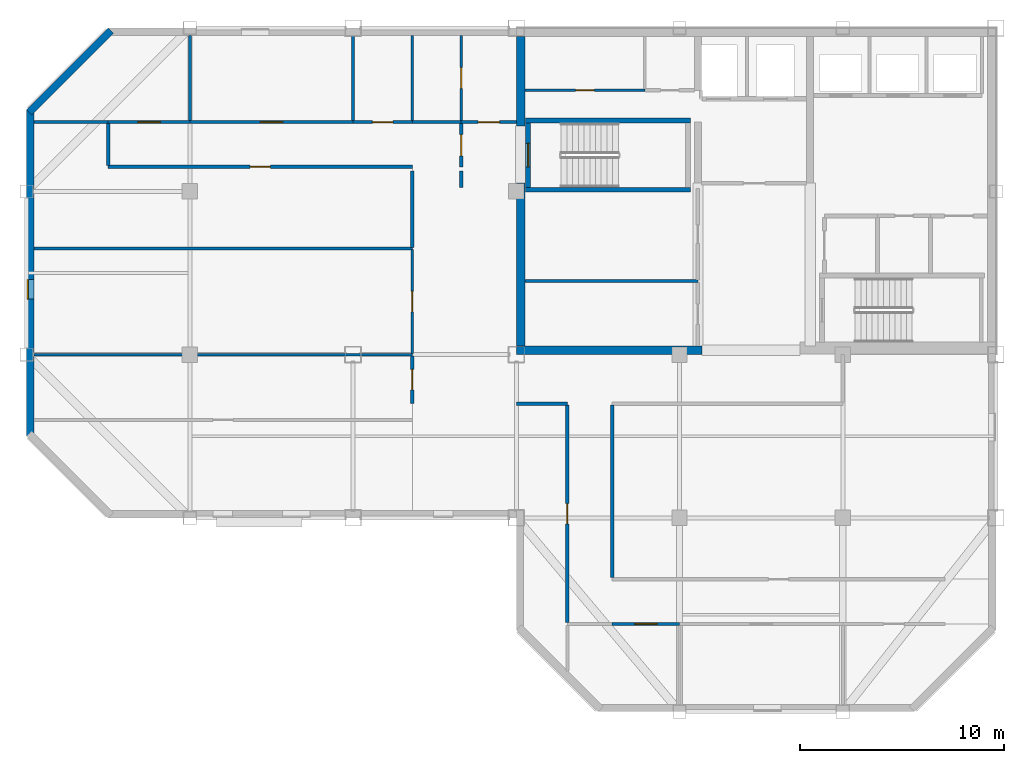
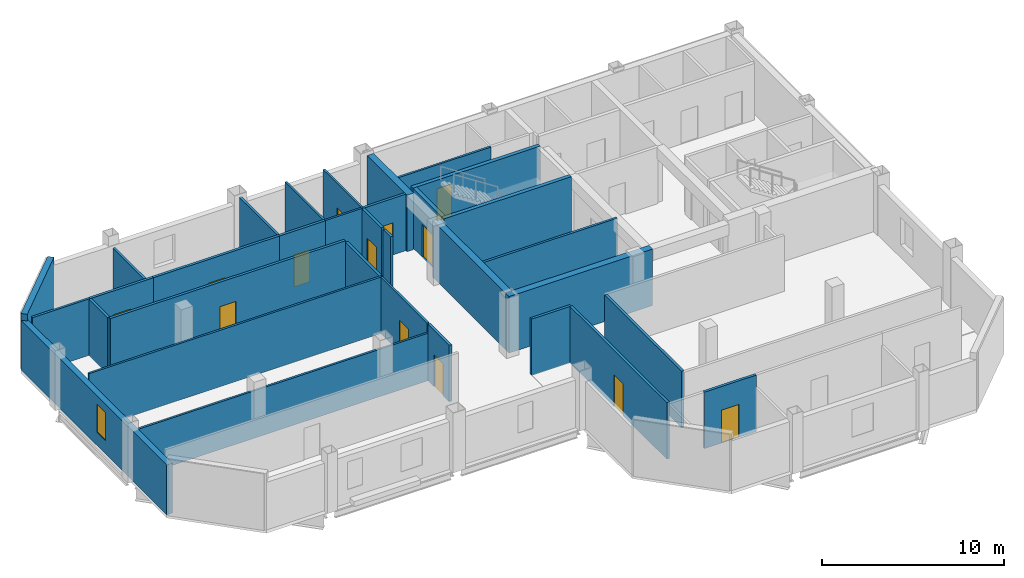
# One storey, part 2 of 7: 33 walls, 13 doors, 1 window, 14 openings.
"""IFC4 building model written with IfcOpenShell, lengths in metres."""

from ifc_helpers import new_model, si_unit, direction, frame, frame_2d, origin, place, context, subcontext, project, spatial, rectangle, extrude, material, layer, layer_set, type_object, element, fill, save


model = new_model("IFC4")

# Units and contexts
model_context = context("Model", 3, precision=1e-05, world=origin(), true_north=direction((0.0, 1.0)))
body_context = subcontext(model_context, "Body", "Model", "MODEL_VIEW")
ifc_project = project(units=[si_unit("LENGTHUNIT", "METRE"), si_unit("AREAUNIT", "SQUARE_METRE"), si_unit("VOLUMEUNIT", "CUBIC_METRE"), si_unit("PLANEANGLEUNIT", "RADIAN"), si_unit("MASSUNIT", "GRAM", prefix="KILO")], contexts=[model_context])

# Site, building, storey
site_placement = place(None, origin())
site = spatial("IfcSite", under=ifc_project, at=site_placement, CompositionType="ELEMENT")
building_placement = place(site_placement, origin())
building = spatial("IfcBuilding", under=site, at=building_placement, Name="Qianrong Seaharbour Tower", CompositionType="ELEMENT")
storey_placement = place(building_placement, frame((0.0, 0.0, 307.199951171875)))
storey = spatial("IfcBuildingStorey", under=building, at=storey_placement, Name="L74", CompositionType="ELEMENT", Elevation=307.199951171875)

# Walls
ifc_material_1 = material(Name="Concrete C50/60", Category="concrete")
ifc_layer_1 = layer(ifc_material_1, 0.419921875)
ifc_layer_set_1 = layer_set([ifc_layer_1], Name="Concrete C50/60")
wall_type_1 = type_object("IfcWallType", Name="WALL-CORE-420", PredefinedType="SHEAR", material=ifc_layer_set_1)
wall_1_placement = place(storey_placement, frame((40.7099609375, 36.419921875, 0.0), z_axis=(0.0, 0.0, 1.0), x_axis=(0.0, 1.0, 0.0)))
element("IfcWall", 1, at=wall_1_placement, inside=storey, type_object=wall_type_1, Name="L74 West Core Shear Wall South", PredefinedType="SHEAR", context=body_context, shape_type="SweptSolid", body=[
    extrude(rectangle(XDim=7.97998046875, YDim=0.419921875, at=frame_2d((3.989990234375, 0.0))), origin(), (0.0, 0.0, 1.0), 3.78515625),
])
wall_2_placement = place(storey_placement, frame((40.7099609375, 47.199951171875, 0.0), z_axis=(0.0, 0.0, 1.0), x_axis=(0.0, 1.0, 0.0)))
element("IfcWall", 2, at=wall_2_placement, inside=storey, type_object=wall_type_1, Name="L74 West Core Shear Wall North", PredefinedType="SHEAR", context=body_context, shape_type="SweptSolid", body=[
    extrude(rectangle(XDim=4.380126953125, YDim=0.419921875, at=frame_2d((2.18994140625, 0.0))), origin(), (0.0, 0.0, 1.0), 3.78515625),
])
wall_3_placement = place(storey_placement, frame((40.5, 36.2099609375, 0.0), z_axis=(0.0, 0.0, 1.0), x_axis=(1.0, 0.0, 0.0)))
element("IfcWall", 3, at=wall_3_placement, inside=storey, type_object=wall_type_1, Name="L74 South Core Shear Wall S1", PredefinedType="SHEAR", context=body_context, shape_type="SweptSolid", body=[
    extrude(rectangle(XDim=9.10009765625, YDim=0.419921875, at=frame_2d((4.550048828125, 0.0))), origin(), (0.0, 0.0, 1.0), 3.78515625),
])

# Wall, opening, door
ifc_material_2 = material(Name="Fire-rated acoustic gypsum board partition")
ifc_layer_2 = layer(ifc_material_2, 0.1650390625)
ifc_layer_set_2 = layer_set([ifc_layer_2], Name="Fire-rated acoustic gypsum board partition")
wall_type_2 = type_object("IfcWallType", Name="WALL-CORR-PART-165", PredefinedType="PARTITIONING", material=ifc_layer_set_2)
wall_4_placement = place(storey_placement, frame((37.800048828125, 47.39990234375, 0.0), z_axis=(0.0, 0.0, 1.0), x_axis=(1.0, 0.0, 0.0)))
wall_4 = element("IfcWall", 4, at=wall_4_placement, inside=storey, type_object=wall_type_2, Name="L74 Interior Partition Wall 001", PredefinedType="PARTITIONING", context=body_context, shape_type="SweptSolid", body=[
    extrude(rectangle(XDim=2.699951171875, YDim=0.1650390625, at=frame_2d((1.35009765625, 0.0))), origin(), (0.0, 0.0, 1.0), 3.78515625),
])
opening_1_placement = place(wall_4_placement, frame((0.824951171875, 0.0, 0.0)))
opening_1 = element("IfcOpeningElement", 5, at=opening_1_placement, cuts=wall_4, Name="Opening DC-01", PredefinedType="OPENING", context=body_context, shape_type="SweptSolid", body=[
    extrude(rectangle(XDim=1.050048828125, YDim=2.14990234375, at=frame_2d((0.52490234375, 1.074951171875))), frame((0.0, 0.092529296875, 0.0), z_axis=(0.0, -1.0, 0.0), x_axis=(1.0, 0.0, 0.0)), (0.0, 0.0, 1.0), 0.18505859375),
])
ifc_material_3 = material(Name="Acoustic timber and galvanized steel fire door assembly", Category="steel")
door_type_1 = type_object("IfcDoorType", Name="DOOR-CORR-FD60-1050x2150", OperationType="NOTDEFINED", PredefinedType="DOOR", material=ifc_material_3)
door_1_placement = place(opening_1_placement, origin())
door_1 = element("IfcDoor", 6, at=door_1_placement, inside=storey, type_object=door_type_1, Name="L74 Smokeproof Stair Vestibule ST-1 Door", OperationType="SINGLE_SWING_RIGHT", OverallHeight=2.14990234375, OverallWidth=1.050048828125, PredefinedType="DOOR", context=body_context, shape_type="SweptSolid", body=[
    extrude(rectangle(XDim=1.050048828125, YDim=2.14990234375, at=frame_2d((0.52490234375, 1.074951171875))), frame((0.0, 0.02490234375, 0.0), z_axis=(0.0, -1.0, 0.0), x_axis=(1.0, 0.0, 0.0)), (0.0, 0.0, 1.0), 0.050048828125),
])
fill(opening_1, door_1)

wall_5_placement = place(storey_placement, frame((37.800048828125, 45.199951171875, 0.0), z_axis=(0.0, 0.0, 1.0), x_axis=(0.0, 1.0, 0.0)))
wall_5 = element("IfcWall", 7, at=wall_5_placement, inside=storey, type_object=wall_type_2, Name="L74 Interior Partition Wall 002", PredefinedType="PARTITIONING", context=body_context, shape_type="SweptSolid", body=[
    extrude(rectangle(XDim=2.12548828125, YDim=0.1650390625, at=frame_2d((1.062744140625, 0.0))), origin(), (0.0, 0.0, 1.0), 3.78515625),
])
opening_2_placement = place(wall_5_placement, frame((0.537841796875, 0.0, 0.0)))
opening_2 = element("IfcOpeningElement", 8, at=opening_2_placement, cuts=wall_5, Name="Opening DC-01", PredefinedType="OPENING", context=body_context, shape_type="SweptSolid", body=[
    extrude(rectangle(XDim=1.050048828125, YDim=2.14990234375, at=frame_2d((0.52490234375, 1.074951171875))), frame((0.0, 0.092529296875, 0.0), z_axis=(0.0, -1.0, 0.0), x_axis=(1.0, 0.0, 0.0)), (0.0, 0.0, 1.0), 0.18505859375),
])
door_2_placement = place(opening_2_placement, origin())
door_2 = element("IfcDoor", 9, at=door_2_placement, inside=storey, type_object=door_type_1, Name="L74 Smokeproof Stair Vestibule ST-1 Door", OperationType="SINGLE_SWING_LEFT", OverallHeight=2.14990234375, OverallWidth=1.050048828125, PredefinedType="DOOR", context=body_context, shape_type="SweptSolid", body=[
    extrude(rectangle(XDim=1.050048828125, YDim=2.14990234375, at=frame_2d((0.52490234375, 1.074951171875))), frame((0.0, 0.02490234375, 0.0), z_axis=(0.0, -1.0, 0.0), x_axis=(1.0, 0.0, 0.0)), (0.0, 0.0, 1.0), 0.050048828125),
])
fill(opening_2, door_2)

# Wall
wall_6_placement = place(storey_placement, frame((37.800048828125, 44.199951171875, 0.0), z_axis=(0.0, 0.0, 1.0), x_axis=(0.0, 1.0, 0.0)))
element("IfcWall", 10, at=wall_6_placement, inside=storey, type_object=wall_type_2, Name="L74 Interior Partition Wall 003", PredefinedType="PARTITIONING", context=body_context, shape_type="SweptSolid", body=[
    extrude(rectangle(XDim=0.800048828125, YDim=0.1650390625, at=frame_2d((0.39990234375, 0.0))), origin(), (0.0, 0.0, 1.0), 3.78515625),
])

# Wall, opening, door
wall_7_placement = place(storey_placement, frame((20.5, 47.39990234375, 0.0), z_axis=(0.0, 0.0, 1.0), x_axis=(1.0, 0.0, 0.0)))
wall_7 = element("IfcWall", 11, at=wall_7_placement, inside=storey, type_object=wall_type_2, Name="L74 Interior Partition Wall 020", PredefinedType="PARTITIONING", context=body_context, shape_type="SweptSolid", body=[
    extrude(rectangle(XDim=4.0, YDim=0.1650390625, at=frame_2d((2.0, 0.0))), origin(), (0.0, 0.0, 1.0), 3.78515625),
])
opening_3_placement = place(wall_7_placement, frame((1.449951171875, 0.0, 0.0)))
opening_3 = element("IfcOpeningElement", 12, at=opening_3_placement, cuts=wall_7, Name="Opening DM-01", PredefinedType="OPENING", context=body_context, shape_type="SweptSolid", body=[
    extrude(rectangle(XDim=1.10009765625, YDim=2.199951171875, at=frame_2d((0.550048828125, 1.10009765625))), frame((0.0, 0.092529296875, 0.0), z_axis=(0.0, -1.0, 0.0), x_axis=(1.0, 0.0, 0.0)), (0.0, 0.0, 1.0), 0.18505859375),
])
door_type_2 = type_object("IfcDoorType", Name="DOOR-MEET-1100x2200", OperationType="NOTDEFINED", PredefinedType="DOOR", material=ifc_material_3)
door_3_placement = place(opening_3_placement, origin())
door_3 = element("IfcDoor", 13, at=door_3_placement, inside=storey, type_object=door_type_2, Name="L74 Boardroom 1 Door", OperationType="SINGLE_SWING_LEFT", OverallHeight=2.199951171875, OverallWidth=1.10009765625, PredefinedType="DOOR", context=body_context, shape_type="SweptSolid", body=[
    extrude(rectangle(XDim=1.10009765625, YDim=2.199951171875, at=frame_2d((0.550048828125, 1.10009765625))), frame((0.0, 0.02490234375, 0.0), z_axis=(0.0, -1.0, 0.0), x_axis=(1.0, 0.0, 0.0)), (0.0, 0.0, 1.0), 0.050048828125),
])
fill(opening_3, door_3)

wall_8_placement = place(storey_placement, frame((24.5, 47.39990234375, 0.0), z_axis=(0.0, 0.0, 1.0), x_axis=(1.0, 0.0, 0.0)))
wall_8 = element("IfcWall", 14, at=wall_8_placement, inside=storey, type_object=wall_type_2, Name="L74 Interior Partition Wall 021", PredefinedType="PARTITIONING", context=body_context, shape_type="SweptSolid", body=[
    extrude(rectangle(XDim=8.0, YDim=0.1650390625, at=frame_2d((4.0, 0.0))), origin(), (0.0, 0.0, 1.0), 3.78515625),
])
opening_4_placement = place(wall_8_placement, frame((3.449951171875, 0.0, 0.0)))
opening_4 = element("IfcOpeningElement", 15, at=opening_4_placement, cuts=wall_8, Name="Opening DM-01", PredefinedType="OPENING", context=body_context, shape_type="SweptSolid", body=[
    extrude(rectangle(XDim=1.10009765625, YDim=2.199951171875, at=frame_2d((0.550048828125, 1.10009765625))), frame((0.0, 0.092529296875, 0.0), z_axis=(0.0, -1.0, 0.0), x_axis=(1.0, 0.0, 0.0)), (0.0, 0.0, 1.0), 0.18505859375),
])
door_4_placement = place(opening_4_placement, origin())
door_4 = element("IfcDoor", 16, at=door_4_placement, inside=storey, type_object=door_type_2, Name="L74 Meeting Room 2 Door", OperationType="SINGLE_SWING_RIGHT", OverallHeight=2.199951171875, OverallWidth=1.10009765625, PredefinedType="DOOR", context=body_context, shape_type="SweptSolid", body=[
    extrude(rectangle(XDim=1.10009765625, YDim=2.199951171875, at=frame_2d((0.550048828125, 1.10009765625))), frame((0.0, 0.02490234375, 0.0), z_axis=(0.0, -1.0, 0.0), x_axis=(1.0, 0.0, 0.0)), (0.0, 0.0, 1.0), 0.050048828125),
])
fill(opening_4, door_4)

wall_9_placement = place(storey_placement, frame((32.5, 47.39990234375, 0.0), z_axis=(0.0, 0.0, 1.0), x_axis=(1.0, 0.0, 0.0)))
wall_9 = element("IfcWall", 17, at=wall_9_placement, inside=storey, type_object=wall_type_2, Name="L74 Interior Partition Wall 022", PredefinedType="PARTITIONING", context=body_context, shape_type="SweptSolid", body=[
    extrude(rectangle(XDim=2.89990234375, YDim=0.1650390625, at=frame_2d((1.449951171875, 0.0))), origin(), (0.0, 0.0, 1.0), 3.78515625),
])
opening_5_placement = place(wall_9_placement, frame((0.949951171875, 0.0, 0.0)))
opening_5 = element("IfcOpeningElement", 18, at=opening_5_placement, cuts=wall_9, Name="Opening DO-01", PredefinedType="OPENING", context=body_context, shape_type="SweptSolid", body=[
    extrude(rectangle(XDim=1.0, YDim=2.14990234375, at=frame_2d((0.5, 1.074951171875))), frame((0.0, 0.092529296875, 0.0), z_axis=(0.0, -1.0, 0.0), x_axis=(1.0, 0.0, 0.0)), (0.0, 0.0, 1.0), 0.18505859375),
])
door_type_3 = type_object("IfcDoorType", Name="DOOR-OFFICE-1000x2150", OperationType="NOTDEFINED", PredefinedType="DOOR", material=ifc_material_3)
door_5_placement = place(opening_5_placement, origin())
door_5 = element("IfcDoor", 19, at=door_5_placement, inside=storey, type_object=door_type_3, Name="L74 Project Library 3 Door", OperationType="SINGLE_SWING_LEFT", OverallHeight=2.14990234375, OverallWidth=1.0, PredefinedType="DOOR", context=body_context, shape_type="SweptSolid", body=[
    extrude(rectangle(XDim=1.0, YDim=2.14990234375, at=frame_2d((0.5, 1.074951171875))), frame((0.0, 0.02490234375, 0.0), z_axis=(0.0, -1.0, 0.0), x_axis=(1.0, 0.0, 0.0)), (0.0, 0.0, 1.0), 0.050048828125),
])
fill(opening_5, door_5)

wall_10_placement = place(storey_placement, frame((35.39990234375, 45.199951171875, 0.0), z_axis=(0.0, 0.0, 1.0), x_axis=(-1.0, 0.0, 0.0)))
wall_10 = element("IfcWall", 20, at=wall_10_placement, inside=storey, type_object=wall_type_2, Name="L74 Interior Partition Wall 023", PredefinedType="PARTITIONING", context=body_context, shape_type="SweptSolid", body=[
    extrude(rectangle(XDim=14.89990234375, YDim=0.1650390625, at=frame_2d((7.449951171875, 0.0))), origin(), (0.0, 0.0, 1.0), 3.78515625),
])
opening_6_placement = place(wall_10_placement, frame((6.949951171875, 0.0, 0.0)))
opening_6 = element("IfcOpeningElement", 21, at=opening_6_placement, cuts=wall_10, Name="Opening DO-01", PredefinedType="OPENING", context=body_context, shape_type="SweptSolid", body=[
    extrude(rectangle(XDim=1.0, YDim=2.14990234375, at=frame_2d((0.5, 1.074951171875))), frame((0.0, 0.092529296875, 0.0), z_axis=(0.0, -1.0, 0.0), x_axis=(1.0, 0.0, 0.0)), (0.0, 0.0, 1.0), 0.18505859375),
])
door_6_placement = place(opening_6_placement, origin())
door_6 = element("IfcDoor", 22, at=door_6_placement, inside=storey, type_object=door_type_3, Name="L74 Harbour Lecture Hall 4 Door", OperationType="SINGLE_SWING_LEFT", OverallHeight=2.14990234375, OverallWidth=1.0, PredefinedType="DOOR", context=body_context, shape_type="SweptSolid", body=[
    extrude(rectangle(XDim=1.0, YDim=2.14990234375, at=frame_2d((0.5, 1.074951171875))), frame((0.0, 0.02490234375, 0.0), z_axis=(0.0, -1.0, 0.0), x_axis=(1.0, 0.0, 0.0)), (0.0, 0.0, 1.0), 0.050048828125),
])
fill(opening_6, door_6)

# Wall
wall_11_placement = place(storey_placement, frame((20.5, 45.2744140625, 0.0), z_axis=(0.0, 0.0, 1.0), x_axis=(0.0, 1.0, 0.0)))
element("IfcWall", 23, at=wall_11_placement, inside=storey, type_object=wall_type_2, Name="L74 Interior Partition Wall 024", PredefinedType="PARTITIONING", context=body_context, shape_type="SweptSolid", body=[
    extrude(rectangle(XDim=2.051025390625, YDim=0.1650390625, at=frame_2d((1.025390625, 0.0))), origin(), (0.0, 0.0, 1.0), 3.78515625),
])

# Wall, opening, door
wall_12_placement = place(storey_placement, frame((35.39990234375, 33.60009765625, 0.0), z_axis=(0.0, 0.0, 1.0), x_axis=(0.0, 1.0, 0.0)))
wall_12 = element("IfcWall", 24, at=wall_12_placement, inside=storey, type_object=wall_type_2, Name="L74 Interior Partition Wall 025", PredefinedType="PARTITIONING", context=body_context, shape_type="SweptSolid", body=[
    extrude(rectangle(XDim=2.343017578125, YDim=0.1650390625, at=frame_2d((1.17138671875, 0.0))), origin(), (0.0, 0.0, 1.0), 3.78515625),
])
opening_7_placement = place(wall_12_placement, frame((0.67138671875, 0.0, 0.0)))
opening_7 = element("IfcOpeningElement", 25, at=opening_7_placement, cuts=wall_12, Name="Opening DO-01", PredefinedType="OPENING", context=body_context, shape_type="SweptSolid", body=[
    extrude(rectangle(XDim=1.0, YDim=2.14990234375, at=frame_2d((0.5, 1.074951171875))), frame((0.0, 0.092529296875, 0.0), z_axis=(0.0, -1.0, 0.0), x_axis=(1.0, 0.0, 0.0)), (0.0, 0.0, 1.0), 0.18505859375),
])
door_7_placement = place(opening_7_placement, origin())
door_7 = element("IfcDoor", 26, at=door_7_placement, inside=storey, type_object=door_type_3, Name="L74 Division Conference Gallery 2 Door", OperationType="SINGLE_SWING_LEFT", OverallHeight=2.14990234375, OverallWidth=1.0, PredefinedType="DOOR", context=body_context, shape_type="SweptSolid", body=[
    extrude(rectangle(XDim=1.0, YDim=2.14990234375, at=frame_2d((0.5, 1.074951171875))), frame((0.0, 0.02490234375, 0.0), z_axis=(0.0, -1.0, 0.0), x_axis=(1.0, 0.0, 0.0)), (0.0, 0.0, 1.0), 0.050048828125),
])
fill(opening_7, door_7)

# Walls
wall_13_placement = place(storey_placement, frame((35.39990234375, 41.257080078125, 0.0), z_axis=(0.0, 0.0, 1.0), x_axis=(0.0, 1.0, 0.0)))
element("IfcWall", 27, at=wall_13_placement, inside=storey, type_object=wall_type_2, Name="L74 Interior Partition Wall 027", PredefinedType="PARTITIONING", context=body_context, shape_type="SweptSolid", body=[
    extrude(rectangle(XDim=3.742919921875, YDim=0.1650390625, at=frame_2d((1.87158203125, 0.0))), origin(), (0.0, 0.0, 1.0), 3.78515625),
])
wall_14_placement = place(storey_placement, frame((43.0, 33.60009765625, 0.0), z_axis=(0.0, 0.0, 1.0), x_axis=(-1.0, 0.0, 0.0)))
element("IfcWall", 28, at=wall_14_placement, inside=storey, type_object=wall_type_2, Name="L74 Interior Partition Wall 030", PredefinedType="PARTITIONING", context=body_context, shape_type="SweptSolid", body=[
    extrude(rectangle(XDim=2.5, YDim=0.1650390625, at=frame_2d((1.25, 0.0))), origin(), (0.0, 0.0, 1.0), 3.78515625),
])
wall_15_placement = place(storey_placement, frame((45.199951171875, 33.525390625, 0.0), z_axis=(0.0, 0.0, 1.0), x_axis=(0.0, -1.0, 0.0)))
element("IfcWall", 29, at=wall_15_placement, inside=storey, type_object=wall_type_2, Name="L74 Interior Partition Wall 031", PredefinedType="PARTITIONING", context=body_context, shape_type="SweptSolid", body=[
    extrude(rectangle(XDim=8.450927734375, YDim=0.1650390625, at=frame_2d((4.2255859375, 0.0))), origin(), (0.0, 0.0, 1.0), 3.78515625),
])

# Wall, opening, door
wall_16_placement = place(storey_placement, frame((43.0, 22.87451171875, 0.0), z_axis=(0.0, 0.0, 1.0), x_axis=(0.0, 1.0, 0.0)))
wall_16 = element("IfcWall", 30, at=wall_16_placement, inside=storey, type_object=wall_type_2, Name="L74 Interior Partition Wall 032", PredefinedType="PARTITIONING", context=body_context, shape_type="SweptSolid", body=[
    extrude(rectangle(XDim=10.65087890625, YDim=0.1650390625, at=frame_2d((5.325439453125, 0.0))), origin(), (0.0, 0.0, 1.0), 3.78515625),
])
opening_8_placement = place(wall_16_placement, frame((4.825439453125, 0.0, 0.0)))
opening_8 = element("IfcOpeningElement", 31, at=opening_8_placement, cuts=wall_16, Name="Opening DO-01", PredefinedType="OPENING", context=body_context, shape_type="SweptSolid", body=[
    extrude(rectangle(XDim=1.0, YDim=2.14990234375, at=frame_2d((0.5, 1.074951171875))), frame((0.0, 0.092529296875, 0.0), z_axis=(0.0, -1.0, 0.0), x_axis=(1.0, 0.0, 0.0)), (0.0, 0.0, 1.0), 0.18505859375),
])
door_8_placement = place(opening_8_placement, origin())
door_8 = element("IfcDoor", 32, at=door_8_placement, inside=storey, type_object=door_type_3, Name="L74 West Spine Open-Plan Office Door", OperationType="SINGLE_SWING_RIGHT", OverallHeight=2.14990234375, OverallWidth=1.0, PredefinedType="DOOR", context=body_context, shape_type="SweptSolid", body=[
    extrude(rectangle(XDim=1.0, YDim=2.14990234375, at=frame_2d((0.5, 1.074951171875))), frame((0.0, 0.02490234375, 0.0), z_axis=(0.0, -1.0, 0.0), x_axis=(1.0, 0.0, 0.0)), (0.0, 0.0, 1.0), 0.050048828125),
])
fill(opening_8, door_8)

wall_17_placement = place(storey_placement, frame((48.5, 22.800048828125, 0.0), z_axis=(0.0, 0.0, 1.0), x_axis=(-1.0, 0.0, 0.0)))
wall_17 = element("IfcWall", 33, at=wall_17_placement, inside=storey, type_object=wall_type_2, Name="L74 Interior Partition Wall 035", PredefinedType="PARTITIONING", context=body_context, shape_type="SweptSolid", body=[
    extrude(rectangle(XDim=3.300048828125, YDim=0.1650390625, at=frame_2d((1.64990234375, 0.0))), origin(), (0.0, 0.0, 1.0), 3.78515625),
])
opening_9_placement = place(wall_17_placement, frame((1.10009765625, 0.0, 0.0)))
opening_9 = element("IfcOpeningElement", 34, at=opening_9_placement, cuts=wall_17, Name="Opening DM-01", PredefinedType="OPENING", context=body_context, shape_type="SweptSolid", body=[
    extrude(rectangle(XDim=1.10009765625, YDim=2.199951171875, at=frame_2d((0.550048828125, 1.10009765625))), frame((0.0, 0.092529296875, 0.0), z_axis=(0.0, -1.0, 0.0), x_axis=(1.0, 0.0, 0.0)), (0.0, 0.0, 1.0), 0.18505859375),
])
door_9_placement = place(opening_9_placement, origin())
door_9 = element("IfcDoor", 35, at=door_9_placement, inside=storey, type_object=door_type_2, Name="L74 Maritime Seminar Room 1 Door", OperationType="SINGLE_SWING_RIGHT", OverallHeight=2.199951171875, OverallWidth=1.10009765625, PredefinedType="DOOR", context=body_context, shape_type="SweptSolid", body=[
    extrude(rectangle(XDim=1.10009765625, YDim=2.199951171875, at=frame_2d((0.550048828125, 1.10009765625))), frame((0.0, 0.02490234375, 0.0), z_axis=(0.0, -1.0, 0.0), x_axis=(1.0, 0.0, 0.0)), (0.0, 0.0, 1.0), 0.050048828125),
])
fill(opening_9, door_9)

# Wall, opening, window
ifc_material_4 = material(Name="Unitised red brick on Precast concrete C45/55", Category="masonry")
ifc_layer_3 = layer(ifc_material_4, 0.360107421875)
ifc_layer_set_3 = layer_set([ifc_layer_3], Name="Unitised red brick on Precast concrete C45/55")
wall_type_3 = type_object("IfcWallType", Name="WALL-EXT-BRICK-RED-360", PredefinedType="SOLIDWALL", material=ifc_layer_set_3)
wall_18_placement = place(storey_placement, frame((16.679931640625, 32.0, 0.0), z_axis=(0.0, 0.0, 1.0), x_axis=(0.0, 1.0, 0.0)))
wall_18 = element("IfcWall", 36, at=wall_18_placement, inside=storey, type_object=wall_type_3, Name="L74 Exterior Masonry Facade Wall WEST_TIP", PredefinedType="SOLIDWALL", context=body_context, shape_type="SweptSolid", body=[
    extrude(rectangle(XDim=16.0, YDim=0.360107421875, at=frame_2d((8.0, 0.0))), origin(), (0.0, 0.0, 1.0), 3.3349609375),
])
opening_10_placement = place(wall_18_placement, frame((6.72509765625, 0.0, 0.89990234375)))
opening_10 = element("IfcOpeningElement", 37, at=opening_10_placement, cuts=wall_18, Name="Opening WN-13", PredefinedType="OPENING", context=body_context, shape_type="SweptSolid", body=[
    extrude(rectangle(XDim=0.949951171875, YDim=1.85009765625, at=frame_2d((0.47509765625, 0.925048828125))), frame((0.0, 0.18994140625, 0.0), z_axis=(0.0, -1.0, 0.0), x_axis=(1.0, 0.0, 0.0)), (0.0, 0.0, 1.0), 0.380126953125),
])
ifc_material_5 = material(Name="Insulated low-e double glazing in thermally broken aluminium 6063-T6 frame", Category="aluminium")
window_type = type_object("IfcWindowType", Name="WIN-NARROW-950x1850", PartitioningType="SINGLE_PANEL", PredefinedType="WINDOW", material=ifc_material_5)
window_placement = place(opening_10_placement, origin())
window = element("IfcWindow", 38, at=window_placement, inside=storey, type_object=window_type, Name="L74 Deep-Set Punched Window 03.02", OverallHeight=1.85009765625, OverallWidth=0.949951171875, PartitioningType="SINGLE_PANEL", PredefinedType="WINDOW", context=body_context, shape_type="SweptSolid", body=[
    extrude(rectangle(XDim=0.949951171875, YDim=1.85009765625, at=frame_2d((0.47509765625, 0.925048828125))), frame((0.0, 0.150146484375, 0.0), z_axis=(0.0, -1.0, 0.0), x_axis=(1.0, 0.0, 0.0)), (0.0, 0.0, 1.0), 0.06005859375),
])
fill(opening_10, window)

# Walls
wall_19_placement = place(storey_placement, frame((16.627197265625, 47.872802734375, 0.0), z_axis=(0.0, 0.0, 1.0), x_axis=(0.707106781187, 0.707106781187, 0.0)))
element("IfcWall", 39, at=wall_19_placement, inside=storey, type_object=wall_type_3, Name="L74 Exterior Masonry Facade Wall E04", PredefinedType="SOLIDWALL", context=body_context, shape_type="SweptSolid", body=[
    extrude(rectangle(XDim=5.65673828125, YDim=0.360107421875, at=frame_2d((2.828369140625, 0.0))), origin(), (0.0, 0.0, 1.0), 3.78515625),
])
ifc_material_6 = material(Name="Acoustic gypsum board stud partition")
ifc_layer_4 = layer(ifc_material_6, 0.14501953125)
ifc_layer_set_4 = layer_set([ifc_layer_4], Name="Acoustic gypsum board stud partition")
wall_type_4 = type_object("IfcWallType", Name="WALL-OFFICE-PART-145", PredefinedType="PARTITIONING", material=ifc_layer_set_4)
wall_20_placement = place(storey_placement, frame((40.919921875, 39.60009765625, 0.0), z_axis=(0.0, 0.0, 1.0), x_axis=(1.0, 0.0, 0.0)))
element("IfcWall", 40, at=wall_20_placement, inside=storey, type_object=wall_type_4, Name="L74 Interior Partition Wall 013", PredefinedType="PARTITIONING", context=body_context, shape_type="SweptSolid", body=[
    extrude(rectangle(XDim=8.47998046875, YDim=0.14501953125, at=frame_2d((4.239990234375, 0.0))), origin(), (0.0, 0.0, 1.0), 3.78515625),
])
wall_21_placement = place(storey_placement, frame((24.5, 51.64794921875, 0.0), z_axis=(0.0, 0.0, 1.0), x_axis=(0.0, -1.0, 0.0)))
element("IfcWall", 41, at=wall_21_placement, inside=storey, type_object=wall_type_4, Name="L74 Interior Partition Wall 039", PredefinedType="PARTITIONING", context=body_context, shape_type="SweptSolid", body=[
    extrude(rectangle(XDim=4.17333984375, YDim=0.14501953125, at=frame_2d((2.086669921875, 0.0))), origin(), (0.0, 0.0, 1.0), 3.177001953125),
])
wall_22_placement = place(storey_placement, frame((20.5, 47.39990234375, 0.0), z_axis=(0.0, 0.0, 1.0), x_axis=(-1.0, 0.0, 0.0)))
element("IfcWall", 42, at=wall_22_placement, inside=storey, type_object=wall_type_4, Name="L74 Interior Partition Wall 040", PredefinedType="PARTITIONING", context=body_context, shape_type="SweptSolid", body=[
    extrude(rectangle(XDim=3.64794921875, YDim=0.14501953125, at=frame_2d((1.823974609375, 0.0))), origin(), (0.0, 0.0, 1.0), 3.78515625),
])
wall_23_placement = place(storey_placement, frame((32.5, 51.64794921875, 0.0), z_axis=(0.0, 0.0, 1.0), x_axis=(0.0, -1.0, 0.0)))
element("IfcWall", 43, at=wall_23_placement, inside=storey, type_object=wall_type_4, Name="L74 Interior Partition Wall 041", PredefinedType="PARTITIONING", context=body_context, shape_type="SweptSolid", body=[
    extrude(rectangle(XDim=4.17333984375, YDim=0.14501953125, at=frame_2d((2.086669921875, 0.0))), origin(), (0.0, 0.0, 1.0), 3.78515625),
])
ifc_layer_5 = layer(ifc_material_1, 0.239990234375)
ifc_layer_set_5 = layer_set([ifc_layer_5], Name="Concrete C50/60")
wall_type_5 = type_object("IfcWallType", Name="WALL-SHAFT-RC240", PredefinedType="SOLIDWALL", material=ifc_layer_set_5)
for number, where, z_axis, x_axis, name in (
    (44, (40.9599609375, 47.469970703125, 0.0), (0.0, 0.0, 1.0), (1.0, 0.0, 0.0), "L74 ST-1 Structural Stair Core Wall N"),
    (45, (49.0400390625, 44.080078125, 0.0), (0.0, 0.0, 1.0), (-1.0, 0.0, 0.0), "L74 ST-1 Structural Stair Core Wall S"),
):
    element("IfcWall", number, at=place(storey_placement, frame(where, z_axis=z_axis, x_axis=x_axis)), inside=storey, type_object=wall_type_5, Name=name, PredefinedType="SOLIDWALL", context=body_context, shape_type="SweptSolid", body=[
        extrude(rectangle(XDim=8.080078125, YDim=0.239990234375, at=frame_2d((4.0400390625, 0.0))), origin(), (0.0, 0.0, 1.0), 4.0),
    ])

# Wall, opening, door
wall_24_placement = place(storey_placement, frame((41.080078125, 47.35009765625, 0.0), z_axis=(0.0, 0.0, 1.0), x_axis=(0.0, -1.0, 0.0)))
wall_24 = element("IfcWall", 46, at=wall_24_placement, inside=storey, type_object=wall_type_5, Name="L74 ST-1 Structural Stair Core Wall W", PredefinedType="SOLIDWALL", context=body_context, shape_type="SweptSolid", body=[
    extrude(rectangle(XDim=3.150146484375, YDim=0.239990234375, at=frame_2d((1.5751953125, 0.0))), origin(), (0.0, 0.0, 1.0), 4.0),
])
opening_11_placement = place(wall_24_placement, frame((1.0, 0.0, 0.0)))
opening_11 = element("IfcOpeningElement", 47, at=opening_11_placement, cuts=wall_24, Name="Opening SD-01", PredefinedType="OPENING", context=body_context, shape_type="SweptSolid", body=[
    extrude(rectangle(XDim=1.14990234375, YDim=2.199951171875, at=frame_2d((0.574951171875, 1.10009765625))), frame((0.0, 0.1298828125, 0.0), z_axis=(0.0, -1.0, 0.0), x_axis=(1.0, 0.0, 0.0)), (0.0, 0.0, 1.0), 0.260009765625),
])
door_type_4 = type_object("IfcDoorType", Name="DOOR-STAIR-FD60-1150x2200", OperationType="NOTDEFINED", PredefinedType="DOOR", material=ifc_material_3)
door_10_placement = place(opening_11_placement, origin())
door_10 = element("IfcDoor", 48, at=door_10_placement, inside=storey, type_object=door_type_4, Name="L74 ST-1 Protected Stair Door", OperationType="SINGLE_SWING_LEFT", OverallHeight=2.199951171875, OverallWidth=1.14990234375, PredefinedType="DOOR", context=body_context, shape_type="SweptSolid", body=[
    extrude(rectangle(XDim=1.14990234375, YDim=2.199951171875, at=frame_2d((0.574951171875, 1.10009765625))), frame((0.0, 0.02490234375, 0.0), z_axis=(0.0, -1.0, 0.0), x_axis=(1.0, 0.0, 0.0)), (0.0, 0.0, 1.0), 0.050048828125),
])
fill(opening_11, door_10)

ifc_material_7 = material(Name="Water-resistant cement board sanitary partition")
ifc_layer_6 = layer(ifc_material_7, 0.1298828125)
ifc_layer_set_6 = layer_set([ifc_layer_6], Name="Water-resistant cement board sanitary partition")
wall_type_6 = type_object("IfcWallType", Name="WALL-WET-PART-130", PredefinedType="PARTITIONING", material=ifc_layer_set_6)
wall_25_placement = place(storey_placement, frame((37.800048828125, 47.474609375, 0.0), z_axis=(0.0, 0.0, 1.0), x_axis=(0.0, 1.0, 0.0)))
wall_25 = element("IfcWall", 49, at=wall_25_placement, inside=storey, type_object=wall_type_6, Name="L74 Interior Partition Wall 004", PredefinedType="PARTITIONING", context=body_context, shape_type="SweptSolid", body=[
    extrude(rectangle(XDim=4.17333984375, YDim=0.1298828125, at=frame_2d((2.086669921875, 0.0))), origin(), (0.0, 0.0, 1.0), 3.78515625),
])
opening_12_placement = place(wall_25_placement, frame((1.57666015625, 0.0, 0.0)))
opening_12 = element("IfcOpeningElement", 50, at=opening_12_placement, cuts=wall_25, Name="Opening DAW-01", PredefinedType="OPENING", context=body_context, shape_type="SweptSolid", body=[
    extrude(rectangle(XDim=1.02001953125, YDim=2.14990234375, at=frame_2d((0.510009765625, 1.074951171875))), frame((0.0, 0.074951171875, 0.0), z_axis=(0.0, -1.0, 0.0), x_axis=(1.0, 0.0, 0.0)), (0.0, 0.0, 1.0), 0.14990234375),
])
door_type_5 = type_object("IfcDoorType", Name="DOOR-AWC-SLIDE-1020x2150", OperationType="SLIDING_TO_LEFT", PredefinedType="DOOR", material=ifc_material_3)
door_11_placement = place(opening_12_placement, origin())
door_11 = element("IfcDoor", 51, at=door_11_placement, inside=storey, type_object=door_type_5, Name="L74 Accessible Restroom WC Door", OperationType="SLIDING_TO_LEFT", OverallHeight=2.14990234375, OverallWidth=1.02001953125, PredefinedType="DOOR", context=body_context, shape_type="SweptSolid", body=[
    extrude(rectangle(XDim=1.02001953125, YDim=2.14990234375, at=frame_2d((0.510009765625, 1.074951171875))), frame((0.0, 0.02490234375, 0.0), z_axis=(0.0, -1.0, 0.0), x_axis=(1.0, 0.0, 0.0)), (0.0, 0.0, 1.0), 0.050048828125),
])
fill(opening_12, door_11)

# Walls
wall_26_placement = place(storey_placement, frame((37.800048828125, 47.39990234375, 0.0), z_axis=(0.0, 0.0, 1.0), x_axis=(-1.0, 0.0, 0.0)))
element("IfcWall", 52, at=wall_26_placement, inside=storey, type_object=wall_type_6, Name="L74 Interior Partition Wall 005", PredefinedType="PARTITIONING", context=body_context, shape_type="SweptSolid", body=[
    extrude(rectangle(XDim=2.400146484375, YDim=0.1298828125, at=frame_2d((1.2001953125, 0.0))), origin(), (0.0, 0.0, 1.0), 3.78515625),
])
wall_27_placement = place(storey_placement, frame((35.39990234375, 47.474609375, 0.0), z_axis=(0.0, 0.0, 1.0), x_axis=(0.0, 1.0, 0.0)))
element("IfcWall", 53, at=wall_27_placement, inside=storey, type_object=wall_type_6, Name="L74 Interior Partition Wall 006", PredefinedType="PARTITIONING", context=body_context, shape_type="SweptSolid", body=[
    extrude(rectangle(XDim=4.17333984375, YDim=0.1298828125, at=frame_2d((2.086669921875, 0.0))), origin(), (0.0, 0.0, 1.0), 3.78515625),
])

# Wall, opening, door
wall_28_placement = place(storey_placement, frame((40.919921875, 48.949951171875, 0.0), z_axis=(0.0, 0.0, 1.0), x_axis=(1.0, 0.0, 0.0)))
wall_28 = element("IfcWall", 54, at=wall_28_placement, inside=storey, type_object=wall_type_6, Name="L74 Interior Partition Wall 007", PredefinedType="PARTITIONING", context=body_context, shape_type="SweptSolid", body=[
    extrude(rectangle(XDim=5.880126953125, YDim=0.1298828125, at=frame_2d((2.93994140625, 0.0))), origin(), (0.0, 0.0, 1.0), 3.78515625),
])
opening_13_placement = place(wall_28_placement, frame((2.47998046875, 0.0, 0.0)))
opening_13 = element("IfcOpeningElement", 55, at=opening_13_placement, cuts=wall_28, Name="Opening DW-01", PredefinedType="OPENING", context=body_context, shape_type="SweptSolid", body=[
    extrude(rectangle(XDim=0.919921875, YDim=2.14990234375, at=frame_2d((0.4599609375, 1.074951171875))), frame((0.0, 0.074951171875, 0.0), z_axis=(0.0, -1.0, 0.0), x_axis=(1.0, 0.0, 0.0)), (0.0, 0.0, 1.0), 0.14990234375),
])
door_type_6 = type_object("IfcDoorType", Name="DOOR-WC-920x2150", OperationType="NOTDEFINED", PredefinedType="DOOR", material=ifc_material_3)
door_12_placement = place(opening_13_placement, origin())
door_12 = element("IfcDoor", 56, at=door_12_placement, inside=storey, type_object=door_type_6, Name="L74 Restroom WC Suite Door", OperationType="SINGLE_SWING_RIGHT", OverallHeight=2.14990234375, OverallWidth=0.919921875, PredefinedType="DOOR", context=body_context, shape_type="SweptSolid", body=[
    extrude(rectangle(XDim=0.919921875, YDim=2.14990234375, at=frame_2d((0.4599609375, 1.074951171875))), frame((0.0, 0.02490234375, 0.0), z_axis=(0.0, -1.0, 0.0), x_axis=(1.0, 0.0, 0.0)), (0.0, 0.0, 1.0), 0.050048828125),
])
fill(opening_13, door_12)

wall_29_placement = place(storey_placement, frame((35.39990234375, 36.056884765625, 0.0), z_axis=(0.0, 0.0, 1.0), x_axis=(0.0, 1.0, 0.0)))
wall_29 = element("IfcWall", 57, at=wall_29_placement, inside=storey, type_object=wall_type_6, Name="L74 Interior Partition Wall 026", PredefinedType="PARTITIONING", context=body_context, shape_type="SweptSolid", body=[
    extrude(rectangle(XDim=5.086181640625, YDim=0.1298828125, at=frame_2d((2.54296875, 0.0))), origin(), (0.0, 0.0, 1.0), 3.78515625),
])
opening_14_placement = place(wall_29_placement, frame((2.04296875, 0.0, 0.0)))
opening_14 = element("IfcOpeningElement", 58, at=opening_14_placement, cuts=wall_29, Name="Opening DO-01", PredefinedType="OPENING", context=body_context, shape_type="SweptSolid", body=[
    extrude(rectangle(XDim=1.0, YDim=2.14990234375, at=frame_2d((0.5, 1.074951171875))), frame((0.0, 0.074951171875, 0.0), z_axis=(0.0, -1.0, 0.0), x_axis=(1.0, 0.0, 0.0)), (0.0, 0.0, 1.0), 0.14990234375),
])
door_13_placement = place(opening_14_placement, origin())
door_13 = element("IfcDoor", 59, at=door_13_placement, inside=storey, type_object=door_type_3, Name="L74 Wet Pantry 3 Door", OperationType="SINGLE_SWING_RIGHT", OverallHeight=2.14990234375, OverallWidth=1.0, PredefinedType="DOOR", context=body_context, shape_type="SweptSolid", body=[
    extrude(rectangle(XDim=1.0, YDim=2.14990234375, at=frame_2d((0.5, 1.074951171875))), frame((0.0, 0.02490234375, 0.0), z_axis=(0.0, -1.0, 0.0), x_axis=(1.0, 0.0, 0.0)), (0.0, 0.0, 1.0), 0.050048828125),
])
fill(opening_14, door_13)

# Walls
wall_30_placement = place(storey_placement, frame((16.85205078125, 36.0, 0.0), z_axis=(0.0, 0.0, 1.0), x_axis=(1.0, 0.0, 0.0)))
element("IfcWall", 60, at=wall_30_placement, inside=storey, type_object=wall_type_6, Name="L74 Interior Partition Wall 043", PredefinedType="PARTITIONING", context=body_context, shape_type="SweptSolid", body=[
    extrude(rectangle(XDim=18.5478515625, YDim=0.1298828125, at=frame_2d((9.27392578125, 0.0))), origin(), (0.0, 0.0, 1.0), 3.177001953125),
])
wall_31_placement = place(storey_placement, frame((16.85205078125, 41.199951171875, 0.0), z_axis=(0.0, 0.0, 1.0), x_axis=(1.0, 0.0, 0.0)))
element("IfcWall", 61, at=wall_31_placement, inside=storey, type_object=wall_type_6, Name="L74 Interior Partition Wall 044", PredefinedType="PARTITIONING", context=body_context, shape_type="SweptSolid", body=[
    extrude(rectangle(XDim=18.5478515625, YDim=0.1298828125, at=frame_2d((9.27392578125, 0.0))), origin(), (0.0, 0.0, 1.0), 3.78515625),
])

save(model, "model.ifc")
